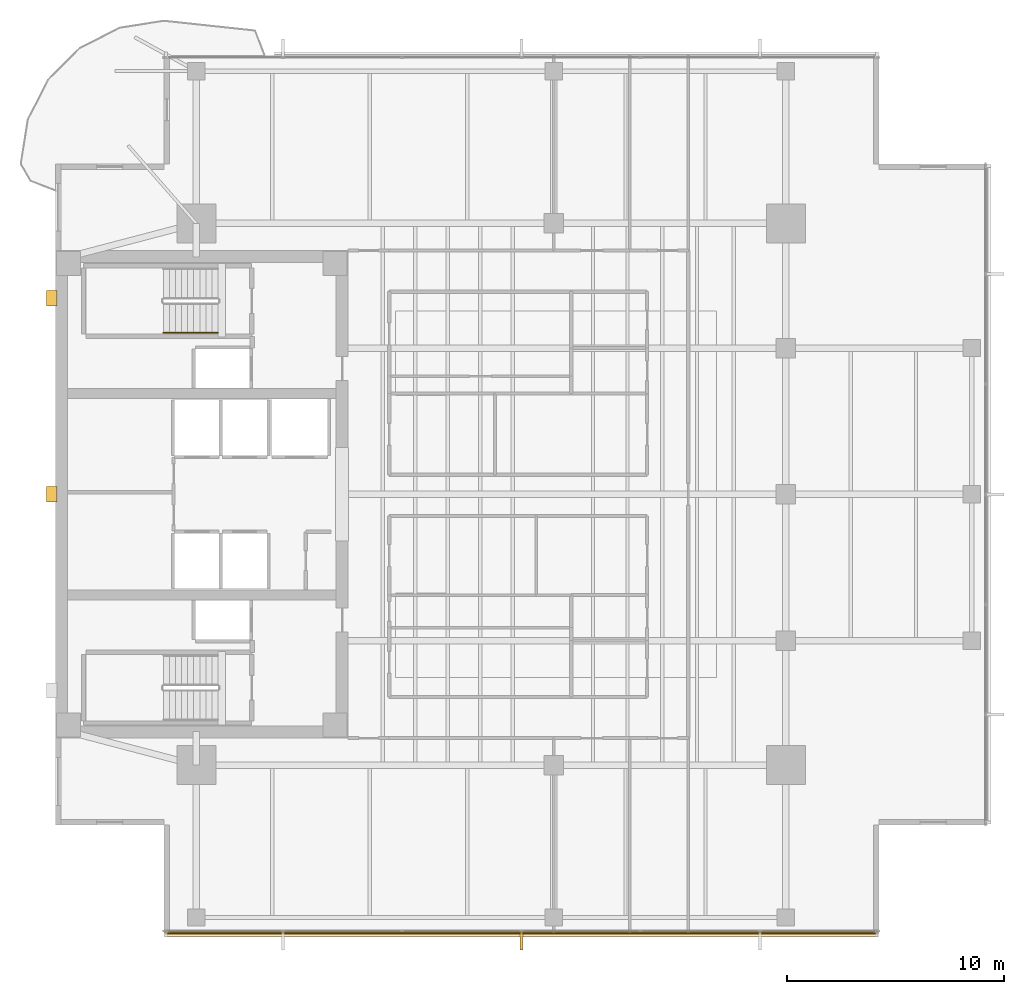
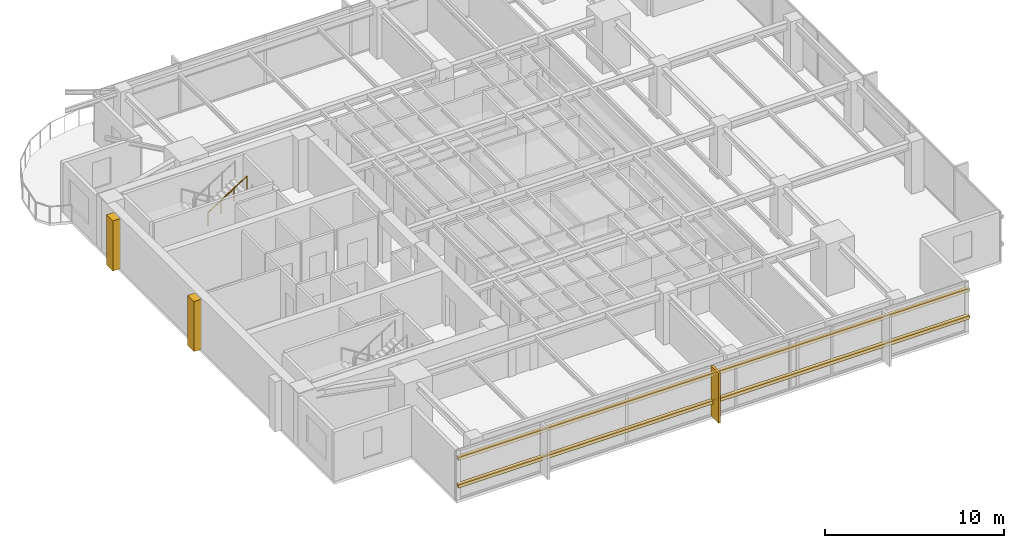
# One storey, part 12 of 14: 5 coverings, 2 shading devices, 1 railing.
"""IFC4 building model written with IfcOpenShell, lengths in metres."""

from ifc_helpers import new_model, si_unit, direction, frame, origin, origin_2d, place, context, subcontext, project, spatial, polyline, rectangle, circle, outline, extrude, material, layer, layer_set, material_profile, profile_set, type_object, element, save


model = new_model("IFC4")

# Units and contexts
model_context = context("Model", 3, precision=1e-05, world=origin(), true_north=direction((0.0, 1.0)))
body_context = subcontext(model_context, "Body", "Model", "MODEL_VIEW")
ifc_project = project(units=[si_unit("LENGTHUNIT", "METRE"), si_unit("AREAUNIT", "SQUARE_METRE"), si_unit("VOLUMEUNIT", "CUBIC_METRE"), si_unit("PLANEANGLEUNIT", "RADIAN"), si_unit("MASSUNIT", "GRAM", prefix="KILO")], contexts=[model_context])

# Site, building, storey
site_placement = place(None, origin())
site = spatial("IfcSite", under=ifc_project, at=site_placement, CompositionType="ELEMENT")
building_placement = place(site_placement, origin())
building = spatial("IfcBuilding", under=site, at=building_placement, Name="Kinhvarn Gate Tower", CompositionType="ELEMENT")
storey_placement = place(building_placement, frame((0.0, 0.0, 212.89990234375)))
storey = spatial("IfcBuildingStorey", under=building, at=storey_placement, Name="L56", CompositionType="ELEMENT", Elevation=212.89990234375)

# Coverings
ifc_material_1 = material(Name="Fired architectural terracotta", Category="masonry")
ifc_layer_1 = layer(ifc_material_1, 0.239990234375)
ifc_layer_set_1 = layer_set([ifc_layer_1], Name="Fired architectural terracotta")
covering_type_1 = type_object("IfcCoveringType", Name="COV-BAG-220", PredefinedType="CLADDING", material=ifc_layer_set_1)
for number, where, name in (
    (1, (0.0, 0.0, 0.940185546875), "Terracotta Horizontal Sunscreen Band TBG-220 (L56)"),
    (2, (0.0, 0.0, 2.81005859375), "Terracotta Horizontal Sunscreen Band TBG-220 (L56)"),
):
    element("IfcCovering", number, at=place(storey_placement, frame(where)), inside=storey, type_object=covering_type_1, Name=name, PredefinedType="CLADDING", context=body_context, shape_type="SweptSolid", body=[
        extrude(outline(polyline([(9.5400390625, 5.070068359375), (42.4599609375, 5.070068359375), (42.4599609375, 4.830078125), (9.5400390625, 4.830078125), (9.5400390625, 5.070068359375)])), origin(), (0.0, 0.0, 1.0), 0.219970703125),
    ])
ifc_layer_2 = layer(ifc_material_1, 0.139892578125)
ifc_layer_set_2 = layer_set([ifc_layer_2], Name="Fired architectural terracotta")
covering_type_2 = type_object("IfcCoveringType", Name="COV-FIN-850", PredefinedType="CLADDING", material=ifc_layer_set_2)
covering_1_placement = place(storey_placement, frame((0.0, 0.0, -0.02001953125)))
element("IfcCovering", 3, at=covering_1_placement, inside=storey, type_object=covering_type_2, Name="Vertical Terracotta Expressive Fin TFN-850 (L56)", PredefinedType="CLADDING", context=body_context, shape_type="SweptSolid", body=[
    extrude(outline(polyline([(25.929931640625, 5.080078125), (26.070068359375, 5.080078125), (26.070068359375, 4.22998046875), (25.929931640625, 4.22998046875), (25.929931640625, 5.080078125)])), origin(), (0.0, 0.0, 1.0), 3.41015625),
])
ifc_material_2 = material(Name="Precast white architectural concrete C40/50", Category="concrete")
ifc_layer_3 = layer(ifc_material_2, 0.47998046875)
ifc_layer_set_3 = layer_set([ifc_layer_3], Name="Precast white architectural concrete C40/50")
covering_type_3 = type_object("IfcCoveringType", Name="COV-RIB-450", PredefinedType="CLADDING", material=ifc_layer_set_3)
covering_2_placement = place(storey_placement, frame((0.0, 0.0, -0.02001953125)))
element("IfcCovering", 4, at=covering_2_placement, inside=storey, type_object=covering_type_3, Name="West Core Sculptural Concrete Relief Rib CRB-450 (L56)", PredefinedType="CLADDING", context=body_context, shape_type="SweptSolid", body=[
    extrude(outline(polyline([(4.080078125, 24.89990234375), (4.56005859375, 24.89990234375), (4.56005859375, 25.60009765625), (4.080078125, 25.60009765625), (4.080078125, 24.89990234375)])), origin(), (0.0, 0.0, 1.0), 3.41015625),
])
covering_3_placement = place(storey_placement, frame((0.0, 0.0, -0.02001953125)))
element("IfcCovering", 5, at=covering_3_placement, inside=storey, type_object=covering_type_3, Name="West Core Sculptural Concrete Relief Rib CRB-450 (L56)", PredefinedType="CLADDING", context=body_context, shape_type="SweptSolid", body=[
    extrude(outline(polyline([(4.080078125, 33.949951171875), (4.56005859375, 33.949951171875), (4.56005859375, 34.64990234375), (4.080078125, 34.64990234375), (4.080078125, 33.949951171875)])), origin(), (0.0, 0.0, 1.0), 3.41015625),
])

# Railing
ifc_material_3 = material(Name="Steel S355", Category="steel")
railing_type = type_object("IfcRailingType", Name="RL-ST-HND", PredefinedType="HANDRAIL", material=ifc_material_3)
railing_placement = place(storey_placement, frame((9.47998046875, 32.699951171875, 1.95263671875)))
element("IfcRailing", 6, at=railing_placement, inside=storey, type_object=railing_type, Name="L56 ST2 stair handrail 2", PredefinedType="HANDRAIL", context=body_context, shape_type="SweptSolid", body=[
    extrude(circle(Radius=0.02392578125, at=origin_2d()), frame((0.0, 0.0, 0.8759765625), z_axis=(0.84460694969, 0.0, 0.535386869969), x_axis=(0.0, 1.0, 0.0)), (0.0, 0.0, 1.0), 2.983642578125),
    extrude(circle(Radius=0.02099609375, at=origin_2d()), origin(), (0.0, 0.0, 1.0), 0.851806640625),
    extrude(circle(Radius=0.02099609375, at=origin_2d()), frame((0.840087890625, 0.0, 0.532470703125)), (0.0, 0.0, 1.0), 0.851806640625),
    extrude(circle(Radius=0.02099609375, at=origin_2d()), frame((1.679931640625, 0.0, 1.06494140625)), (0.0, 0.0, 1.0), 0.851806640625),
    extrude(circle(Radius=0.02099609375, at=origin_2d()), frame((2.52001953125, 0.0, 1.597412109375)), (0.0, 0.0, 1.0), 0.851806640625),
])

# Shading devices
ifc_material_profile = material_profile(ifc_material_1, rectangle(XDim=0.050048828125, YDim=0.1201171875, at=origin_2d()), Name="TC 50x120")
ifc_profile_set = profile_set([ifc_material_profile], Name="Fired architectural terracotta")
shading_device_type = type_object("IfcShadingDeviceType", Name="SHD-BAG-140", PredefinedType="USERDEFINED", material=ifc_profile_set)
for number, where, z_axis, x_axis, name in (
    (7, (9.5400390625, 5.0, 1.050048828125), (1.0, 0.0, 0.0), (0.0, 1.0, 0.0), "Upper Tower Terracotta Baguette Screen Rod 50x120 mm (L56)"),
    (8, (9.5400390625, 5.0, 2.920166015625), (1.0, 0.0, 0.0), (0.0, 1.0, 0.0), "Upper Tower Terracotta Baguette Screen Rod 50x120 mm (L56)"),
):
    element("IfcShadingDevice", number, at=place(storey_placement, frame(where, z_axis=z_axis, x_axis=x_axis)), inside=storey, type_object=shading_device_type, Name=name, ObjectType="BAGUETTE", PredefinedType="USERDEFINED", context=body_context, shape_type="SweptSolid", body=[
        extrude(rectangle(XDim=0.050048828125, YDim=0.1201171875, at=origin_2d()), origin(), (0.0, 0.0, 1.0), 32.919921875),
    ])

save(model, "model.ifc")
